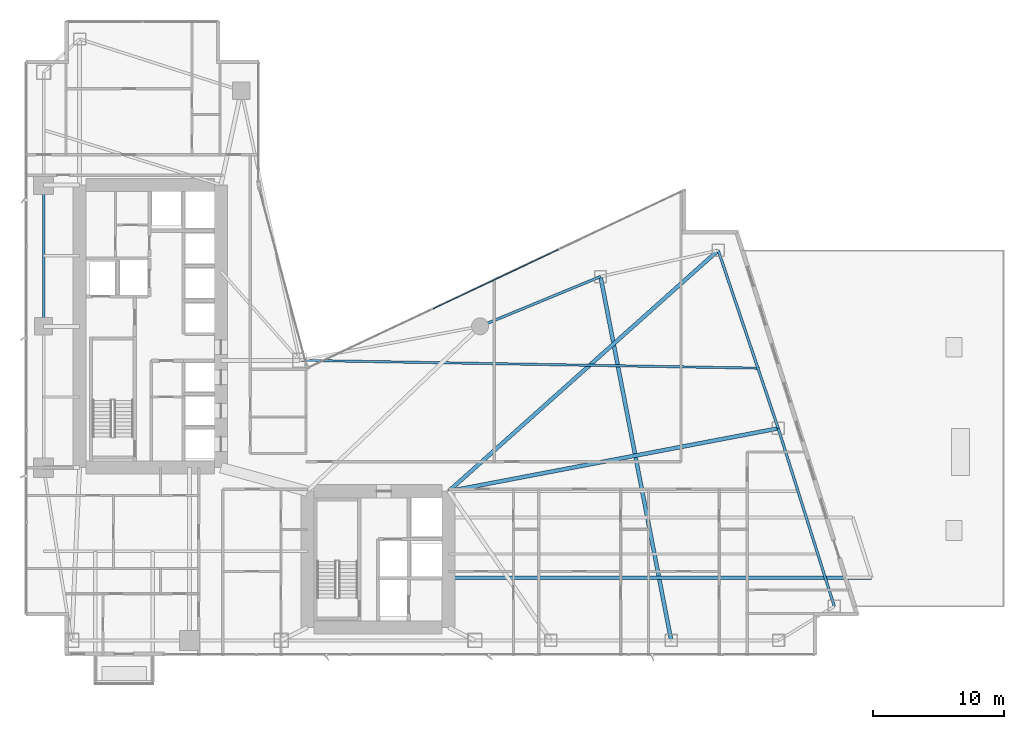
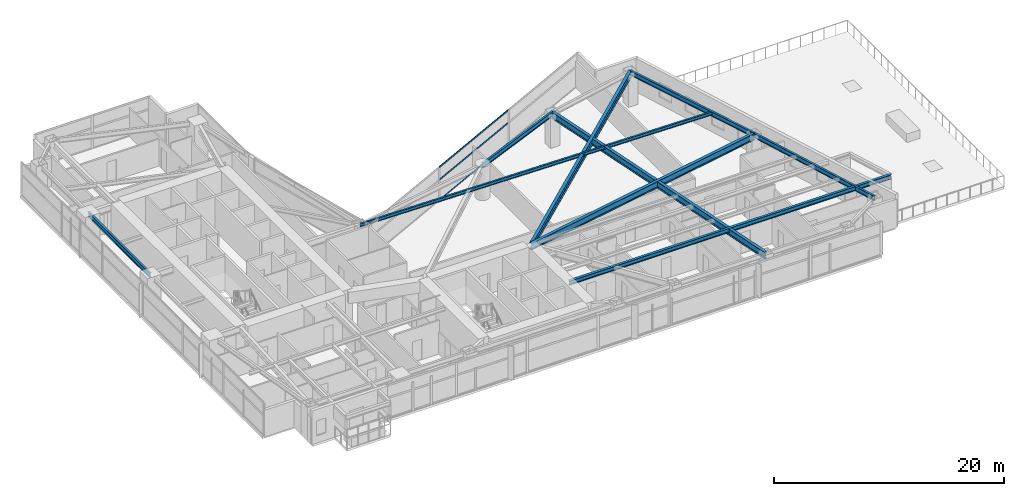
# One storey, part 15 of 30: 9 beams, 3 members, 1 element without a shape of its own.
"""IFC4 building model written with IfcOpenShell, lengths in metres."""

from ifc_helpers import new_model, si_unit, direction, frame, origin, origin_2d, place, context, subcontext, project, spatial, hollow_rectangle, i_section, extrude, material, layer, layer_set, material_profile, profile_set, type_object, element, aggregate, save


model = new_model("IFC4")

# Units and contexts
model_context = context("Model", 3, precision=1e-05, world=origin(), true_north=direction((0.0, 1.0)))
body_context = subcontext(model_context, "Body", "Model", "MODEL_VIEW")
ifc_project = project(units=[si_unit("LENGTHUNIT", "METRE"), si_unit("AREAUNIT", "SQUARE_METRE"), si_unit("VOLUMEUNIT", "CUBIC_METRE"), si_unit("PLANEANGLEUNIT", "RADIAN"), si_unit("MASSUNIT", "GRAM", prefix="KILO")], contexts=[model_context])

# Site, building, storey
site_placement = place(None, origin())
site = spatial("IfcSite", under=ifc_project, at=site_placement, CompositionType="ELEMENT")
building_placement = place(site_placement, origin())
building = spatial("IfcBuilding", under=site, at=building_placement, Name="Calvorn Quay Hotel", CompositionType="ELEMENT")
storey_placement = place(building_placement, frame((0.0, 0.0, 27.0)))
storey = spatial("IfcBuildingStorey", under=building, at=storey_placement, Name="L05", CompositionType="ELEMENT", Elevation=27.0)

# Beams
ifc_material_1 = material(Name="Steel Q355B", Category="steel")
ifc_material_profile_1 = material_profile(ifc_material_1, i_section(OverallWidth=0.25, OverallDepth=0.449951171875, WebThickness=0.011962890625, FlangeThickness=0.01611328125, FilletRadius=0.01611328125, at=origin_2d()), Name="HN450x250x12x16")
ifc_profile_set_1 = profile_set([ifc_material_profile_1], Name="Steel Q355B")
beam_type_1 = type_object("IfcBeamType", Name="BM-CANT-BALC", PredefinedType="BEAM", material=ifc_profile_set_1)
beam_1_placement = place(storey_placement, frame((32.39990234375, 8.39990234375, 3.31494140625), z_axis=(1.0, 0.0, 0.0), x_axis=(0.0, 1.0, 0.0)))
element("IfcBeam", 1, at=beam_1_placement, inside=storey, type_object=beam_type_1, Name="Cantilever Balcony Beam BCB-L06-1A", PredefinedType="BEAM", context=body_context, shape_type="SweptSolid", body=[
    extrude(i_section(OverallWidth=0.25, OverallDepth=0.449951171875, WebThickness=0.011962890625, FlangeThickness=0.01611328125, FilletRadius=0.01611328125, at=origin_2d()), origin(), (0.0, 0.0, 1.0), 32.30810546875),
])
ifc_material_2 = material(Name="Steel Q390GJC", Category="steel")
ifc_material_profile_2 = material_profile(ifc_material_2, i_section(OverallWidth=0.300048828125, OverallDepth=0.699951171875, WebThickness=0.012939453125, FlangeThickness=0.02392578125, FilletRadius=0.02392578125, at=origin_2d()), Name="HN700x300x13x24")
ifc_profile_set_2 = profile_set([ifc_material_profile_2], Name="Steel Q390GJC")
beam_type_2 = type_object("IfcBeamType", Name="BM-GIRD-MAIN", PredefinedType="BEAM", material=ifc_profile_set_2)
beam_2_placement = place(storey_placement, frame((32.39990234375, 15.0, 3.18994140625), z_axis=(0.982305450614, 0.18728588226, 0.0), x_axis=(-0.18728588226, 0.982305450614, 0.0)))
element("IfcBeam", 2, at=beam_2_placement, inside=storey, type_object=beam_type_2, Name="Beam BG-L05-E2", PredefinedType="BEAM", context=body_context, shape_type="SweptSolid", body=[
    extrude(i_section(OverallWidth=0.300048828125, OverallDepth=0.699951171875, WebThickness=0.012939453125, FlangeThickness=0.02392578125, FilletRadius=0.02392578125, at=origin_2d()), origin(), (0.0, 0.0, 1.0), 25.629638671875),
])
beam_3_placement = place(storey_placement, frame((32.39990234375, 15.0, 3.18994140625), z_axis=(0.745667316004, 0.666318432766, 0.0), x_axis=(-0.666318432766, 0.745667316004, 0.0)))
element("IfcBeam", 3, at=beam_3_placement, inside=storey, type_object=beam_type_2, Name="Beam BG-L05-E3", PredefinedType="BEAM", context=body_context, shape_type="SweptSolid", body=[
    extrude(i_section(OverallWidth=0.300048828125, OverallDepth=0.699951171875, WebThickness=0.012939453125, FlangeThickness=0.02392578125, FilletRadius=0.02392578125, at=origin_2d()), origin(), (0.0, 0.0, 1.0), 27.6142578125),
])
beam_4_placement = place(storey_placement, frame((49.39990234375, 3.60009765625, 3.18994140625), z_axis=(-0.190678596862, 0.981652521363, 0.0), x_axis=(-0.981652521363, -0.190678596862, 0.0)))
element("IfcBeam", 4, at=beam_4_placement, inside=storey, type_object=beam_type_2, Name="Beam BG-L05-E5", PredefinedType="BEAM", context=body_context, shape_type="SweptSolid", body=[
    extrude(i_section(OverallWidth=0.300048828125, OverallDepth=0.699951171875, WebThickness=0.012939453125, FlangeThickness=0.02392578125, FilletRadius=0.02392578125, at=origin_2d()), origin(), (0.0, 0.0, 1.0), 28.3193359375),
])
ifc_material_3 = material(Name="Steel Q355B", Category="steel")
ifc_material_profile_3 = material_profile(ifc_material_3, i_section(OverallWidth=0.175048828125, OverallDepth=0.35009765625, WebThickness=0.007080078125, FlangeThickness=0.010986328125, FilletRadius=0.013916015625, at=origin_2d()), Name="HN350x175x7x11")
ifc_profile_set_3 = profile_set([ifc_material_profile_3], Name="Steel Q355B")
beam_type_3 = type_object("IfcBeamType", Name="BM-JOIST-SEC", PredefinedType="JOIST", material=ifc_profile_set_3)
beam_5_placement = place(storey_placement, frame((21.0, 25.0, 3.364990234375), z_axis=(0.999854105858, -0.017081188436, 0.0), x_axis=(0.017081188436, 0.999854105858, 0.0)))
element("IfcBeam", 5, at=beam_5_placement, inside=storey, type_object=beam_type_3, Name="Beam BJ-L05-E3", PredefinedType="JOIST", context=body_context, shape_type="SweptSolid", body=[
    extrude(i_section(OverallWidth=0.175048828125, OverallDepth=0.35009765625, WebThickness=0.007080078125, FlangeThickness=0.010986328125, FilletRadius=0.013916015625, at=origin_2d()), origin(), (0.0, 0.0, 1.0), 35.132080078125),
])
ifc_material_4 = material(Name="Steel Q355B", Category="steel")
ifc_material_profile_4 = material_profile(ifc_material_4, i_section(OverallWidth=0.199951171875, OverallDepth=0.5, WebThickness=0.010009765625, FlangeThickness=0.01611328125, FilletRadius=0.01611328125, at=origin_2d()), Name="HN500x200x10x16")
ifc_profile_set_4 = profile_set([ifc_material_profile_4], Name="Steel Q355B")
beam_type_4 = type_object("IfcBeamType", Name="BM-SPANDREL-Z1", PredefinedType="SPANDREL", material=ifc_profile_set_4)
beam_6_placement = place(storey_placement, frame((1.449951171875, 27.60009765625, 3.2900390625), z_axis=(0.0, 1.0, 0.0), x_axis=(-1.0, 0.0, 0.0)))
element("IfcBeam", 6, at=beam_6_placement, inside=storey, type_object=beam_type_4, Name="Beam BSP-L05-W3", PredefinedType="SPANDREL", context=body_context, shape_type="SweptSolid", body=[
    extrude(i_section(OverallWidth=0.199951171875, OverallDepth=0.5, WebThickness=0.010009765625, FlangeThickness=0.01611328125, FilletRadius=0.01611328125, at=origin_2d()), origin(), (0.0, 0.0, 1.0), 10.7998046875),
])
beam_7_placement = place(storey_placement, frame((61.861083984375, 6.199951171875, 3.2900390625), z_axis=(-0.300518378216, 0.953776024208, 0.0), x_axis=(-0.953776024208, -0.300518378216, 0.0)))
element("IfcBeam", 7, at=beam_7_placement, inside=storey, type_object=beam_type_4, Name="Beam BSP-L05-E1", PredefinedType="SPANDREL", context=body_context, shape_type="SweptSolid", body=[
    extrude(i_section(OverallWidth=0.199951171875, OverallDepth=0.5, WebThickness=0.010009765625, FlangeThickness=0.01611328125, FilletRadius=0.01611328125, at=origin_2d()), origin(), (0.0, 0.0, 1.0), 14.25927734375),
])
beam_8_placement = place(storey_placement, frame((57.575927734375, 19.800048828125, 3.2900390625), z_axis=(-0.319466515944, 0.947597564998, 0.0), x_axis=(-0.947597564998, -0.319466515944, 0.0)))
element("IfcBeam", 8, at=beam_8_placement, inside=storey, type_object=beam_type_4, Name="Beam BSP-L05-E2", PredefinedType="SPANDREL", context=body_context, shape_type="SweptSolid", body=[
    extrude(i_section(OverallWidth=0.199951171875, OverallDepth=0.5, WebThickness=0.010009765625, FlangeThickness=0.01611328125, FilletRadius=0.01611328125, at=origin_2d()), origin(), (0.0, 0.0, 1.0), 14.35205078125),
])
beam_9_placement = place(storey_placement, frame((44.0, 31.39990234375, 3.2900390625), z_axis=(-0.92426763497, -0.381745123017, 0.0), x_axis=(0.381745123017, -0.92426763497, 0.0)))
element("IfcBeam", 9, at=beam_9_placement, inside=storey, type_object=beam_type_4, Name="Beam BSP-L05-E4", PredefinedType="SPANDREL", context=body_context, shape_type="SweptSolid", body=[
    extrude(i_section(OverallWidth=0.199951171875, OverallDepth=0.5, WebThickness=0.010009765625, FlangeThickness=0.01611328125, FilletRadius=0.01611328125, at=origin_2d()), origin(), (0.0, 0.0, 1.0), 9.953857421875),
])

# Curtain wall, members
ifc_material_5 = material(Name="Pale Anodised Aluminium and Low-E Glass", Category="aluminium")
ifc_layer = layer(ifc_material_5, 0.219970703125)
ifc_layer_set = layer_set([ifc_layer], Name="CW-SYS-Z1")
curtain_wall_type = type_object("IfcCurtainWallType", Name="CW-SYS-Z1", PredefinedType="NOTDEFINED", material=ifc_layer_set)
curtain_wall_placement = place(storey_placement, origin())
curtain_wall = element("IfcCurtainWall", 10, at=curtain_wall_placement, inside=storey, type_object=curtain_wall_type, Name="Inner Court Curtain Wall L05-NE1", PredefinedType="NOTDEFINED")
ifc_material_6 = material(Name="Pale Anodised Aluminium 6063-T6", Category="aluminium")
ifc_material_profile_5 = material_profile(ifc_material_6, hollow_rectangle(XDim=0.06494140625, YDim=0.1650390625, WallThickness=0.00341796875, at=origin_2d()), Name="ALU-T165x65x3.5")
ifc_profile_set_5 = profile_set([ifc_material_profile_5], Name="Pale Anodised Aluminium 6063-T6")
member_type = type_object("IfcMemberType", Name="CW-SYS-Z1-TRN", PredefinedType="USERDEFINED", material=ifc_profile_set_5)
member_1_placement = place(storey_placement, frame((40.77294921875, 33.453857421875, 0.030029296875), z_axis=(-0.904247654564, -0.427008406493, 0.0), x_axis=(0.427008406493, -0.904247654564, 0.0)))
member_1 = element("IfcMember", 11, at=member_1_placement, type_object=member_type, Name="CW-L05-NE1 transom 2.1", ObjectType="TRANSOM", PredefinedType="USERDEFINED", context=body_context, shape_type="SweptSolid", body=[
    extrude(hollow_rectangle(XDim=0.06494140625, YDim=0.1650390625, WallThickness=0.00341796875, at=origin_2d()), origin(), (0.0, 0.0, 1.0), 10.556640625),
])
member_2_placement = place(storey_placement, frame((40.77294921875, 33.453857421875, 2.199951171875), z_axis=(-0.904247654564, -0.427008406493, 0.0), x_axis=(0.427008406493, -0.904247654564, 0.0)))
member_2 = element("IfcMember", 12, at=member_2_placement, type_object=member_type, Name="CW-L05-NE1 transom 2.2", ObjectType="TRANSOM", PredefinedType="USERDEFINED", context=body_context, shape_type="SweptSolid", body=[
    extrude(hollow_rectangle(XDim=0.06494140625, YDim=0.1650390625, WallThickness=0.00341796875, at=origin_2d()), origin(), (0.0, 0.0, 1.0), 10.556640625),
])
member_3_placement = place(storey_placement, frame((40.77294921875, 33.453857421875, 3.530029296875), z_axis=(-0.904247654564, -0.427008406493, 0.0), x_axis=(0.427008406493, -0.904247654564, 0.0)))
member_3 = element("IfcMember", 13, at=member_3_placement, type_object=member_type, Name="CW-L05-NE1 transom 2.3", ObjectType="TRANSOM", PredefinedType="USERDEFINED", context=body_context, shape_type="SweptSolid", body=[
    extrude(hollow_rectangle(XDim=0.06494140625, YDim=0.1650390625, WallThickness=0.00341796875, at=origin_2d()), origin(), (0.0, 0.0, 1.0), 10.556640625),
])
aggregate(curtain_wall, [member_1, member_2, member_3])

save(model, "model.ifc")
